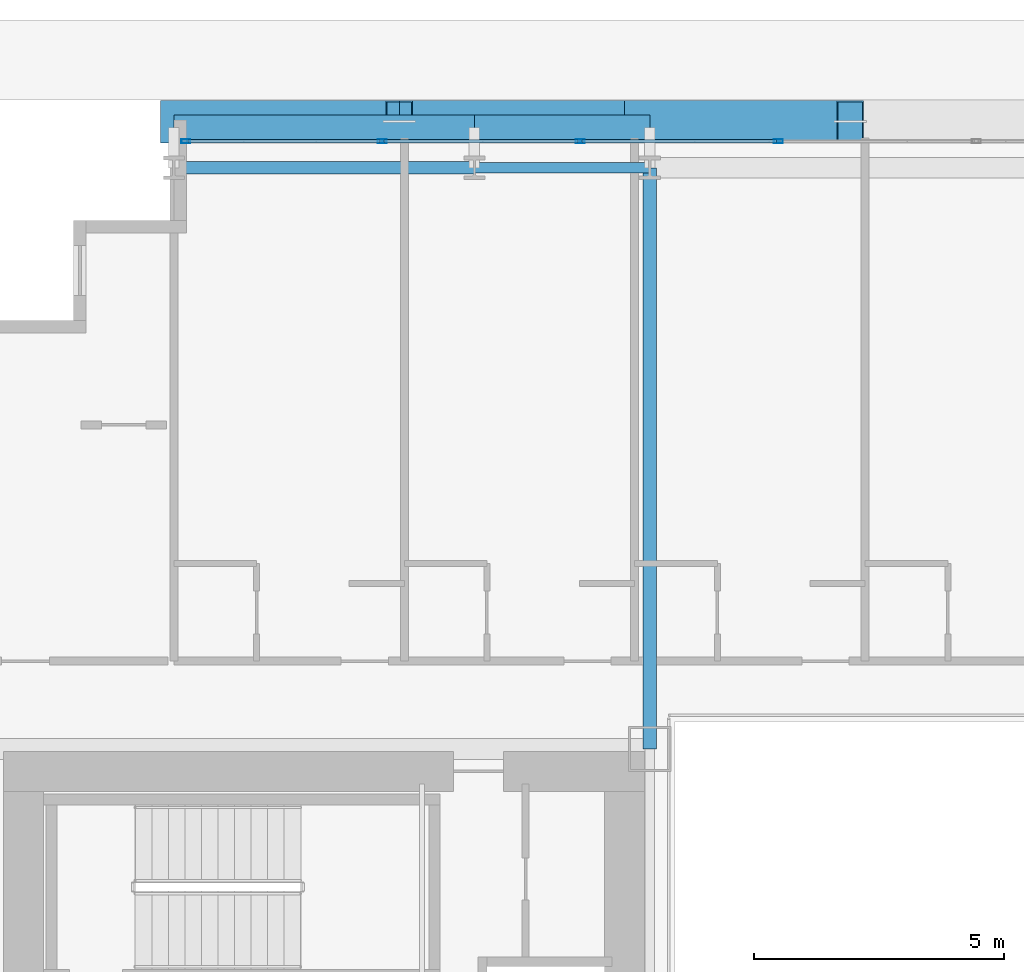
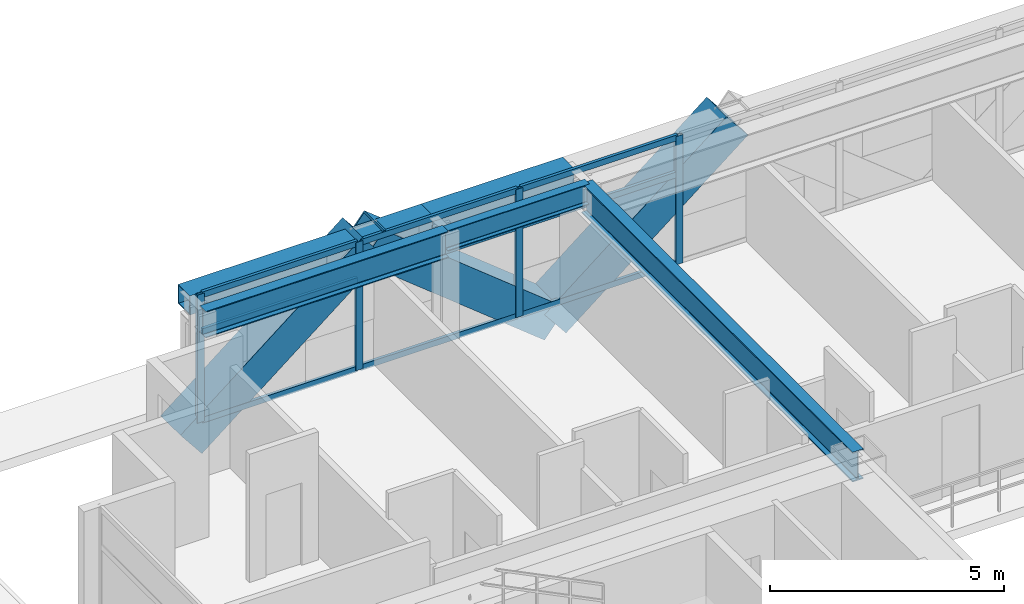
# One storey, part 16 of 35: 16 members, 5 beams, 1 element without a shape of its own.
"""IFC4 building model written with IfcOpenShell, lengths in metres."""

from ifc_helpers import new_model, si_unit, direction, frame, origin, origin_2d, place, context, subcontext, project, spatial, hollow_rectangle, i_section, extrude, source, transform, mapped, material, layer, layer_set, material_profile, profile_set, type_object, element, aggregate, save


model = new_model("IFC4")

# Units and contexts
model_context = context("Model", 3, precision=1e-05, world=origin(), true_north=direction((0.0, 1.0)))
body_context = subcontext(model_context, "Body", "Model", "MODEL_VIEW")
ifc_project = project(units=[si_unit("LENGTHUNIT", "METRE"), si_unit("AREAUNIT", "SQUARE_METRE"), si_unit("VOLUMEUNIT", "CUBIC_METRE"), si_unit("PLANEANGLEUNIT", "RADIAN"), si_unit("MASSUNIT", "GRAM", prefix="KILO")], contexts=[model_context])

# Site, building, storey
site_placement = place(None, origin())
site = spatial("IfcSite", under=ifc_project, at=site_placement, CompositionType="ELEMENT")
building_placement = place(site_placement, origin())
building = spatial("IfcBuilding", under=site, at=building_placement, Name="Ocotamira Hotel", CompositionType="ELEMENT")
storey_placement = place(building_placement, frame((0.0, 0.0, 34.800048828125)))
storey = spatial("IfcBuildingStorey", under=building, at=storey_placement, Name="L07", CompositionType="ELEMENT", Elevation=34.800048828125)

# Beams
ifc_material_1 = material(Name="Steel ASTM A992 Grade 50", Category="steel")
ifc_material_profile_1 = material_profile(ifc_material_1, i_section(OverallWidth=0.256103515625, OverallDepth=0.693115234375, WebThickness=0.014404296875, FlangeThickness=0.023681640625, FilletRadius=0.01611328125, at=origin_2d()), Name="W27X114")
ifc_profile_set_1 = profile_set([ifc_material_profile_1], Name="Steel ASTM A992 Grade 50")
beam_type_1 = type_object("IfcBeamType", Name="BM-PRIM-W27X114", PredefinedType="BEAM", material=ifc_profile_set_1)
shared_shape_1 = source(origin(), body_context, "Body", "SweptSolid", [
    extrude(i_section(OverallWidth=0.256103515625, OverallDepth=0.693115234375, WebThickness=0.014404296875, FlangeThickness=0.023681640625, FilletRadius=0.01611328125, at=origin_2d()), origin(), (0.0, 0.0, 1.0), 6.0),
])
beam_1_placement = place(storey_placement, frame((14.0, 49.050048828125, 3.00341796875), z_axis=(1.0, 0.0, 0.0), x_axis=(0.0, 1.0, 0.0)))
element("IfcBeam", 1, at=beam_1_placement, inside=storey, type_object=beam_type_1, Name="L07 Girder Y49.05 X14-20", PredefinedType="BEAM", context=body_context, shape_type="MappedRepresentation", body=[
    mapped(shared_shape_1, transform((0.0, 0.0, 0.0), scale=1.0)),
])
ifc_material_profile_2 = material_profile(ifc_material_1, i_section(OverallWidth=0.2099609375, OverallDepth=0.537109375, WebThickness=0.010986328125, FlangeThickness=0.017333984375, FilletRadius=0.012939453125, at=origin_2d()), Name="W21X68")
ifc_profile_set_2 = profile_set([ifc_material_profile_2], Name="Steel ASTM A992 Grade 50")
beam_type_2 = type_object("IfcBeamType", Name="BM-SEC-W21X68", PredefinedType="JOIST", material=ifc_profile_set_2)
shared_shape_2 = source(origin(), body_context, "Body", "SweptSolid", [
    extrude(i_section(OverallWidth=0.2099609375, OverallDepth=0.537109375, WebThickness=0.010986328125, FlangeThickness=0.017333984375, FilletRadius=0.012939453125, at=origin_2d()), origin(), (0.0, 0.0, 1.0), 3.5),
])
beam_2_placement = place(storey_placement, frame((20.0, 49.050048828125, 3.08154296875), z_axis=(1.0, 0.0, 0.0), x_axis=(0.0, 1.0, 0.0)))
element("IfcBeam", 2, at=beam_2_placement, inside=storey, type_object=beam_type_2, Name="L07 Girder Y49.05 X20-23.5", PredefinedType="JOIST", context=body_context, shape_type="MappedRepresentation", body=[
    mapped(shared_shape_2, transform((0.0, 0.0, 0.0), scale=1.0)),
])
ifc_material_profile_3 = material_profile(ifc_material_1, i_section(OverallWidth=0.26611328125, OverallDepth=0.779052734375, WebThickness=0.0166015625, FlangeThickness=0.030029296875, FilletRadius=0.01806640625, at=origin_2d()), Name="W30X148")
ifc_profile_set_3 = profile_set([ifc_material_profile_3], Name="Steel ASTM A992 Grade 50")
beam_type_3 = type_object("IfcBeamType", Name="BM-GIRD-W30X148", PredefinedType="BEAM", material=ifc_profile_set_3)
shared_shape_3 = source(origin(), body_context, "Body", "SweptSolid", [
    extrude(i_section(OverallWidth=0.26611328125, OverallDepth=0.779052734375, WebThickness=0.0166015625, FlangeThickness=0.030029296875, FilletRadius=0.01806640625, at=origin_2d()), origin(), (0.0, 0.0, 1.0), 11.60009765625),
])
beam_3_placement = place(storey_placement, frame((23.5, 37.449951171875, 2.96044921875), z_axis=(0.0, 1.0, 0.0), x_axis=(-1.0, 0.0, 0.0)))
element("IfcBeam", 3, at=beam_3_placement, inside=storey, type_object=beam_type_3, Name="L07 Beam X23.5 Y37.45-49.05", PredefinedType="BEAM", context=body_context, shape_type="MappedRepresentation", body=[
    mapped(shared_shape_3, transform((0.0, 0.0, 0.0), scale=1.0)),
])
ifc_material_2 = material(Name="Steel ASTM A500 Grade C", Category="steel")
ifc_material_profile_4 = material_profile(ifc_material_2, hollow_rectangle(XDim=0.5, YDim=0.5, WallThickness=0.02001953125, at=origin_2d()), Name="HSS500X500X20")
ifc_profile_set_4 = profile_set([ifc_material_profile_4], Name="Steel ASTM A500 Grade C")
beam_type_4 = type_object("IfcBeamType", Name="BM-SPAN-HSS500", PredefinedType="USERDEFINED", material=ifc_profile_set_4)
shared_shape_4 = source(origin(), body_context, "Body", "SweptSolid", [
    extrude(hollow_rectangle(XDim=0.5, YDim=0.5, WallThickness=0.02001953125, at=origin_2d()), origin(), (0.0, 0.0, 1.0), 6.0),
])
beam_4_placement = place(storey_placement, frame((14.0, 49.85009765625, 3.099853515625), z_axis=(1.0, 0.0, 0.0), x_axis=(0.0, 1.0, 0.0)))
element("IfcBeam", 4, at=beam_4_placement, inside=storey, type_object=beam_type_4, Name="L07 Edge Spandrel N X14-20", ObjectType="SPANDREL", PredefinedType="USERDEFINED", context=body_context, shape_type="MappedRepresentation", body=[
    mapped(shared_shape_4, transform((0.0, 0.0, 0.0), scale=1.0)),
])
shared_shape_5 = source(origin(), body_context, "Body", "SweptSolid", [
    extrude(hollow_rectangle(XDim=0.5, YDim=0.5, WallThickness=0.02001953125, at=origin_2d()), origin(), (0.0, 0.0, 1.0), 3.5),
])
beam_5_placement = place(storey_placement, frame((20.0, 49.85009765625, 3.099853515625), z_axis=(1.0, 0.0, 0.0), x_axis=(0.0, 1.0, 0.0)))
element("IfcBeam", 5, at=beam_5_placement, inside=storey, type_object=beam_type_4, Name="L07 Edge Spandrel N X20-23.5", ObjectType="SPANDREL", PredefinedType="USERDEFINED", context=body_context, shape_type="MappedRepresentation", body=[
    mapped(shared_shape_5, transform((0.0, 0.0, 0.0), scale=1.0)),
])

# Members
ifc_material_3 = material(Name="Pale-metal coated steel ASTM A913 Grade 65", Category="steel")
ifc_material_profile_5 = material_profile(ifc_material_3, hollow_rectangle(XDim=0.85009765625, YDim=0.85009765625, WallThickness=0.035888671875, at=origin_2d()), Name="BOX850X850X36")
ifc_profile_set_5 = profile_set([ifc_material_profile_5], Name="Pale-metal coated steel ASTM A913 Grade 65")
member_type_1 = type_object("IfcMemberType", Name="MEM-EXO-BOX850", PredefinedType="BRACE", material=ifc_profile_set_5)
shared_shape_6 = source(origin(), body_context, "Body", "SweptSolid", [
    extrude(hollow_rectangle(XDim=0.85009765625, YDim=0.85009765625, WallThickness=0.035888671875, at=origin_2d()), origin(), (0.0, 0.0, 1.0), 5.7626953125),
])
for number, where, z_axis, x_axis, name in (
    (6, (14.0, 49.969970703125, -0.5), (0.780881208953, 0.0, 0.624679547852), (0.0, 1.0, 0.0), "L07 Exoskeleton Diagrid N0.1"),
    (7, (23.0, 49.969970703125, -0.5), (-0.780881208953, 0.0, 0.624679547852), (0.0, -1.0, 0.0), "L07 Exoskeleton Diagrid N0.2"),
    (8, (23.0, 49.969970703125, -0.5), (0.780881208953, 0.0, 0.624679547852), (0.0, 1.0, 0.0), "L07 Exoskeleton Diagrid N1.1"),
):
    element("IfcMember", number, at=place(storey_placement, frame(where, z_axis=z_axis, x_axis=x_axis)), inside=storey, type_object=member_type_1, Name=name, PredefinedType="BRACE", context=body_context, shape_type="MappedRepresentation", body=[
        mapped(shared_shape_6, transform((0.0, 0.0, 0.0), scale=1.0)),
    ])

# Curtain wall, members
ifc_material_4 = material(Name="Anodised pale-metal aluminium and solar glass", Category="aluminium")
ifc_layer = layer(ifc_material_4, 0.179931640625)
ifc_layer_set = layer_set([ifc_layer], Name="Anodised pale-metal aluminium and solar glass")
curtain_wall_type = type_object("IfcCurtainWallType", Name="CW-SYS2-Z1", PredefinedType="NOTDEFINED", material=ifc_layer_set)
curtain_wall_placement = place(storey_placement, origin())
curtain_wall = element("IfcCurtainWall", 9, at=curtain_wall_placement, inside=storey, type_object=curtain_wall_type, Name="L07 Curtain Wall CW-2 CW-L07-N", PredefinedType="NOTDEFINED")
ifc_material_5 = material(Name="Anodised pale-metal aluminium 6063-T6", Category="aluminium")
ifc_material_profile_6 = material_profile(ifc_material_5, hollow_rectangle(XDim=0.080078125, YDim=0.179931640625, WallThickness=0.006103515625, at=origin_2d()), Name="HSS180X80X6")
ifc_profile_set_6 = profile_set([ifc_material_profile_6], Name="Anodised pale-metal aluminium 6063-T6")
member_type_2 = type_object("IfcMemberType", Name="CWM-180X75", PredefinedType="MULLION", material=ifc_profile_set_6)
shared_shape_7 = source(origin(), body_context, "Body", "SweptSolid", [
    extrude(hollow_rectangle(XDim=0.080078125, YDim=0.179931640625, WallThickness=0.006103515625, at=origin_2d()), origin(), (0.0, 0.0, 1.0), 3.349853515625),
])
member_1_placement = place(storey_placement, frame((14.239990234375, 49.580078125, 0.0), z_axis=(0.0, 0.0, 1.0), x_axis=(0.0, 1.0, 0.0)))
member_1 = element("IfcMember", 10, at=member_1_placement, type_object=member_type_2, Name="CW-2 mullion 1", PredefinedType="MULLION", context=body_context, shape_type="MappedRepresentation", body=[
    mapped(shared_shape_7, transform((0.0, 0.0, 0.0), scale=1.0)),
])
member_2_placement = place(storey_placement, frame((18.155517578125, 49.580078125, 0.0), z_axis=(0.0, 0.0, 1.0), x_axis=(0.0, 1.0, 0.0)))
member_2 = element("IfcMember", 11, at=member_2_placement, type_object=member_type_2, Name="CW-2 mullion 2", PredefinedType="MULLION", context=body_context, shape_type="MappedRepresentation", body=[
    mapped(shared_shape_7, transform((0.0, 0.0, 0.0), scale=1.0)),
])
member_3_placement = place(storey_placement, frame((22.111083984375, 49.580078125, 0.0), z_axis=(0.0, 0.0, 1.0), x_axis=(0.0, 1.0, 0.0)))
member_3 = element("IfcMember", 12, at=member_3_placement, type_object=member_type_2, Name="CW-2 mullion 3", PredefinedType="MULLION", context=body_context, shape_type="MappedRepresentation", body=[
    mapped(shared_shape_7, transform((0.0, 0.0, 0.0), scale=1.0)),
])
member_4_placement = place(storey_placement, frame((26.066650390625, 49.580078125, 0.0), z_axis=(0.0, 0.0, 1.0), x_axis=(0.0, 1.0, 0.0)))
member_4 = element("IfcMember", 13, at=member_4_placement, type_object=member_type_2, Name="CW-2 mullion 4", PredefinedType="MULLION", context=body_context, shape_type="MappedRepresentation", body=[
    mapped(shared_shape_7, transform((0.0, 0.0, 0.0), scale=1.0)),
])
ifc_material_profile_7 = material_profile(ifc_material_5, hollow_rectangle(XDim=0.074951171875, YDim=0.14990234375, WallThickness=0.006103515625, at=origin_2d()), Name="HSS150X75X6")
ifc_profile_set_7 = profile_set([ifc_material_profile_7], Name="Anodised pale-metal aluminium 6063-T6")
member_type_3 = type_object("IfcMemberType", Name="CWT-150X75", PredefinedType="USERDEFINED", material=ifc_profile_set_7)
shared_shape_8 = source(origin(), body_context, "Body", "SweptSolid", [
    extrude(hollow_rectangle(XDim=0.074951171875, YDim=0.14990234375, WallThickness=0.006103515625, at=origin_2d()), origin(), (0.0, 0.0, 1.0), 3.83544921875),
])
member_5_placement = place(storey_placement, frame((14.280029296875, 49.580078125, 0.037353515625), z_axis=(1.0, 0.0, 0.0), x_axis=(0.0, 1.0, 0.0)))
member_5 = element("IfcMember", 14, at=member_5_placement, type_object=member_type_3, Name="CW-2 transom 1.1", ObjectType="TRANSOM", PredefinedType="USERDEFINED", context=body_context, shape_type="MappedRepresentation", body=[
    mapped(shared_shape_8, transform((0.0, 0.0, 0.0), scale=1.0)),
])
member_6_placement = place(storey_placement, frame((14.280029296875, 49.580078125, 2.349853515625), z_axis=(1.0, 0.0, 0.0), x_axis=(0.0, 1.0, 0.0)))
member_6 = element("IfcMember", 15, at=member_6_placement, type_object=member_type_3, Name="CW-2 transom 1.2", ObjectType="TRANSOM", PredefinedType="USERDEFINED", context=body_context, shape_type="MappedRepresentation", body=[
    mapped(shared_shape_8, transform((0.0, 0.0, 0.0), scale=1.0)),
])
member_7_placement = place(storey_placement, frame((14.280029296875, 49.580078125, 3.3125), z_axis=(1.0, 0.0, 0.0), x_axis=(0.0, 1.0, 0.0)))
member_7 = element("IfcMember", 16, at=member_7_placement, type_object=member_type_3, Name="CW-2 transom 1.3", ObjectType="TRANSOM", PredefinedType="USERDEFINED", context=body_context, shape_type="MappedRepresentation", body=[
    mapped(shared_shape_8, transform((0.0, 0.0, 0.0), scale=1.0)),
])
shared_shape_9 = source(origin(), body_context, "Body", "SweptSolid", [
    extrude(hollow_rectangle(XDim=0.074951171875, YDim=0.14990234375, WallThickness=0.006103515625, at=origin_2d()), origin(), (0.0, 0.0, 1.0), 3.87548828125),
])
member_8_placement = place(storey_placement, frame((18.195556640625, 49.580078125, 0.037353515625), z_axis=(1.0, 0.0, 0.0), x_axis=(0.0, 1.0, 0.0)))
member_8 = element("IfcMember", 17, at=member_8_placement, type_object=member_type_3, Name="CW-2 transom 2.1", ObjectType="TRANSOM", PredefinedType="USERDEFINED", context=body_context, shape_type="MappedRepresentation", body=[
    mapped(shared_shape_9, transform((0.0, 0.0, 0.0), scale=1.0)),
])
member_9_placement = place(storey_placement, frame((18.195556640625, 49.580078125, 2.349853515625), z_axis=(1.0, 0.0, 0.0), x_axis=(0.0, 1.0, 0.0)))
member_9 = element("IfcMember", 18, at=member_9_placement, type_object=member_type_3, Name="CW-2 transom 2.2", ObjectType="TRANSOM", PredefinedType="USERDEFINED", context=body_context, shape_type="MappedRepresentation", body=[
    mapped(shared_shape_9, transform((0.0, 0.0, 0.0), scale=1.0)),
])
member_10_placement = place(storey_placement, frame((18.195556640625, 49.580078125, 3.3125), z_axis=(1.0, 0.0, 0.0), x_axis=(0.0, 1.0, 0.0)))
member_10 = element("IfcMember", 19, at=member_10_placement, type_object=member_type_3, Name="CW-2 transom 2.3", ObjectType="TRANSOM", PredefinedType="USERDEFINED", context=body_context, shape_type="MappedRepresentation", body=[
    mapped(shared_shape_9, transform((0.0, 0.0, 0.0), scale=1.0)),
])
member_11_placement = place(storey_placement, frame((22.151123046875, 49.580078125, 0.037353515625), z_axis=(1.0, 0.0, 0.0), x_axis=(0.0, 1.0, 0.0)))
member_11 = element("IfcMember", 20, at=member_11_placement, type_object=member_type_3, Name="CW-2 transom 3.1", ObjectType="TRANSOM", PredefinedType="USERDEFINED", context=body_context, shape_type="MappedRepresentation", body=[
    mapped(shared_shape_9, transform((0.0, 0.0, 0.0), scale=1.0)),
])
member_12_placement = place(storey_placement, frame((22.151123046875, 49.580078125, 2.349853515625), z_axis=(1.0, 0.0, 0.0), x_axis=(0.0, 1.0, 0.0)))
member_12 = element("IfcMember", 21, at=member_12_placement, type_object=member_type_3, Name="CW-2 transom 3.2", ObjectType="TRANSOM", PredefinedType="USERDEFINED", context=body_context, shape_type="MappedRepresentation", body=[
    mapped(shared_shape_9, transform((0.0, 0.0, 0.0), scale=1.0)),
])
member_13_placement = place(storey_placement, frame((22.151123046875, 49.580078125, 3.3125), z_axis=(1.0, 0.0, 0.0), x_axis=(0.0, 1.0, 0.0)))
member_13 = element("IfcMember", 22, at=member_13_placement, type_object=member_type_3, Name="CW-2 transom 3.3", ObjectType="TRANSOM", PredefinedType="USERDEFINED", context=body_context, shape_type="MappedRepresentation", body=[
    mapped(shared_shape_9, transform((0.0, 0.0, 0.0), scale=1.0)),
])
aggregate(curtain_wall, [member_1, member_2, member_3, member_4, member_5, member_6, member_7, member_8, member_9, member_10, member_11, member_12, member_13])

save(model, "model.ifc")
